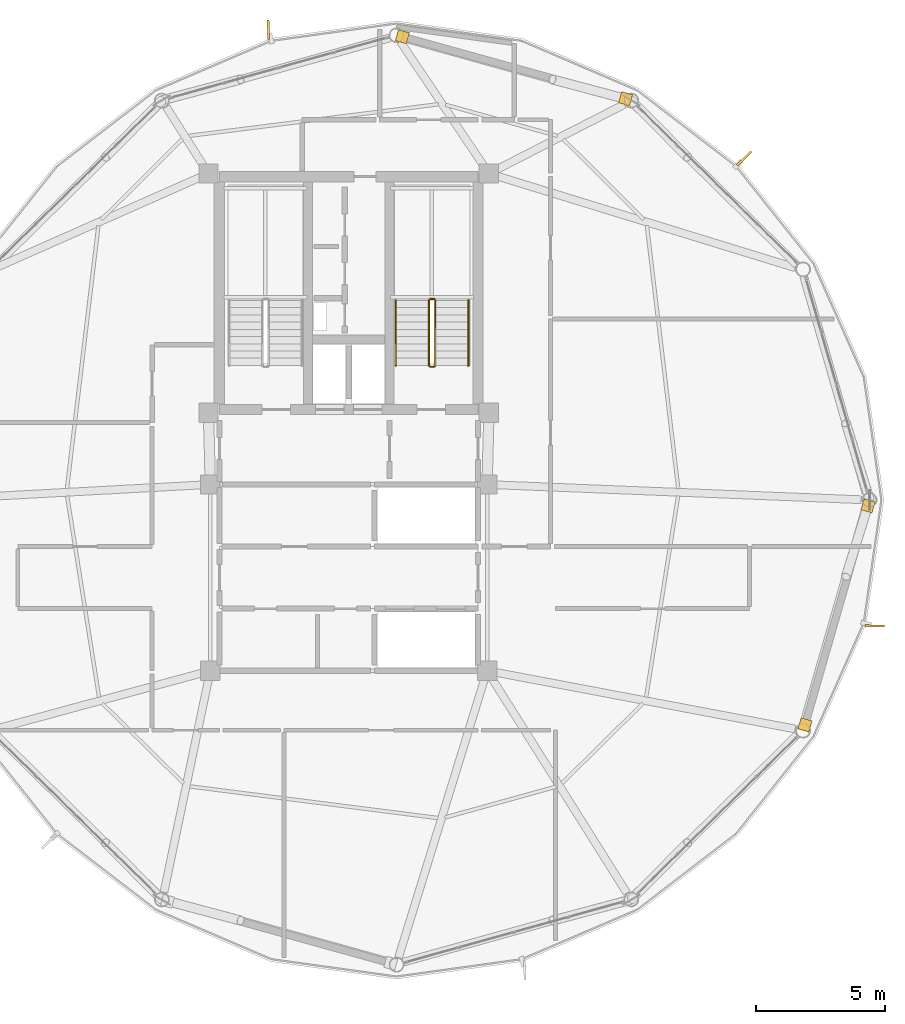
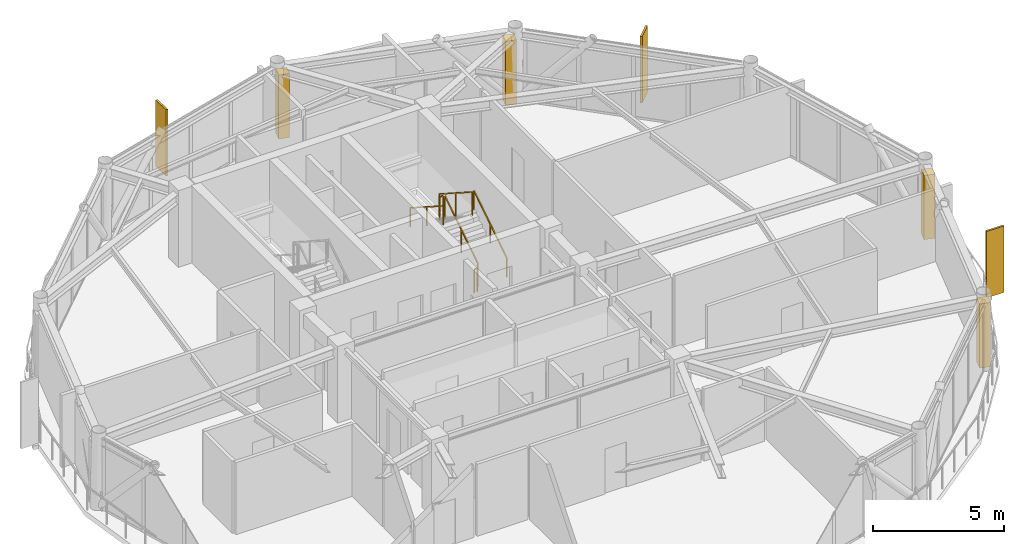
# One storey, part 25 of 25: 6 railings, 4 coverings, 3 shading devices.
"""IFC4 building model written with IfcOpenShell, lengths in metres."""

from ifc_helpers import new_model, si_unit, direction, frame, origin, origin_2d, place, context, subcontext, project, spatial, rectangle, extrude, source, transform, mapped, material, layer, layer_set, type_object, type_shapes, element, save


model = new_model("IFC4")

# Units and contexts
model_context = context("Model", 3, precision=1e-05, world=origin(), true_north=direction((0.0, 1.0)))
body_context = subcontext(model_context, "Body", "Model", "MODEL_VIEW")
ifc_project = project(units=[si_unit("LENGTHUNIT", "METRE"), si_unit("AREAUNIT", "SQUARE_METRE"), si_unit("VOLUMEUNIT", "CUBIC_METRE"), si_unit("PLANEANGLEUNIT", "RADIAN"), si_unit("MASSUNIT", "GRAM", prefix="KILO")], contexts=[model_context])

# Site, building, storey
site_placement = place(None, origin())
site = spatial("IfcSite", under=ifc_project, at=site_placement, CompositionType="ELEMENT")
building_placement = place(site_placement, origin())
building = spatial("IfcBuilding", under=site, at=building_placement, Name="Varnakorn Sky Granary", CompositionType="ELEMENT")
storey_placement = place(building_placement, frame((0.0, 0.0, 259.800048828125)))
storey = spatial("IfcBuildingStorey", under=building, at=storey_placement, Name="L66", CompositionType="ELEMENT", Elevation=259.800048828125)

# Railings
ifc_material_1 = material(Name="Brushed Stainless Steel 316", Category="steel")
railing_type_1 = type_object("IfcRailingType", Name="RL-STAIR-1100", PredefinedType="GUARDRAIL", material=ifc_material_1)
railing_1_placement = place(storey_placement, frame((6.35009765625, 5.199951171875, 0.179931640625)))
element("IfcRailing", 1, at=railing_1_placement, inside=storey, type_object=railing_type_1, Name="L66 ST-2 stair guard 1", PredefinedType="GUARDRAIL", context=body_context, shape_type="SweptSolid", body=[
    extrude(rectangle(XDim=0.048095703125, YDim=0.048095703125, at=origin_2d()), frame((0.0, 0.0, 1.076171875), z_axis=(0.0, 0.841162588446, 0.540782303519), x_axis=(-1.0, 0.0, 0.0)), (0.0, 0.0, 1.0), 2.995849609375),
    extrude(rectangle(XDim=0.0419921875, YDim=0.0419921875, at=origin_2d()), origin(), (0.0, 0.0, 1.0), 1.048095703125),
    extrude(rectangle(XDim=0.0419921875, YDim=0.0419921875, at=origin_2d()), frame((0.0, 1.260009765625, 0.81005859375)), (0.0, 0.0, 1.0), 1.048095703125),
    extrude(rectangle(XDim=0.0419921875, YDim=0.0419921875, at=origin_2d()), frame((0.0, 2.52001953125, 1.6201171875)), (0.0, 0.0, 1.0), 1.048095703125),
])
railing_2_placement = place(storey_placement, frame((6.300048828125, 7.77001953125, 1.800048828125)))
element("IfcRailing", 2, at=railing_2_placement, inside=storey, type_object=railing_type_1, Name="L66 ST-2 stair guard 2", PredefinedType="GUARDRAIL", context=body_context, shape_type="SweptSolid", body=[
    extrude(rectangle(XDim=0.048095703125, YDim=0.048095703125, at=origin_2d()), frame((0.0, 0.0, 1.076171875), z_axis=(-1.0, 0.0, 0.0), x_axis=(0.0, -1.0, 0.0)), (0.0, 0.0, 1.0), 0.150146484375),
    extrude(rectangle(XDim=0.0419921875, YDim=0.0419921875, at=origin_2d()), origin(), (0.0, 0.0, 1.0), 1.048095703125),
    extrude(rectangle(XDim=0.0419921875, YDim=0.0419921875, at=origin_2d()), frame((-0.150146484375, 0.0, 0.0)), (0.0, 0.0, 1.0), 1.048095703125),
])
railing_3_placement = place(storey_placement, frame((6.10009765625, 7.719970703125, 1.97998046875)))
element("IfcRailing", 3, at=railing_3_placement, inside=storey, type_object=railing_type_1, Name="L66 ST-2 stair guard 3", PredefinedType="GUARDRAIL", context=body_context, shape_type="SweptSolid", body=[
    extrude(rectangle(XDim=0.048095703125, YDim=0.048095703125, at=origin_2d()), frame((0.0, 0.0, 1.076171875), z_axis=(0.0, -0.841199657755, 0.540724639528), x_axis=(1.0, 0.0, 0.0)), (0.0, 0.0, 1.0), 2.995849609375),
    extrude(rectangle(XDim=0.0419921875, YDim=0.0419921875, at=origin_2d()), origin(), (0.0, 0.0, 1.0), 1.048095703125),
    extrude(rectangle(XDim=0.0419921875, YDim=0.0419921875, at=origin_2d()), frame((0.0, -1.260009765625, 0.81005859375)), (0.0, 0.0, 1.0), 1.048095703125),
    extrude(rectangle(XDim=0.0419921875, YDim=0.0419921875, at=origin_2d()), frame((0.0, -2.52001953125, 1.619873046875)), (0.0, 0.0, 1.0), 1.048095703125),
])
railing_4_placement = place(storey_placement, frame((6.300048828125, 5.14990234375, 0.0)))
element("IfcRailing", 4, at=railing_4_placement, inside=storey, type_object=railing_type_1, Name="L66 ST-2 stair guard 4", PredefinedType="GUARDRAIL", context=body_context, shape_type="SweptSolid", body=[
    extrude(rectangle(XDim=0.048095703125, YDim=0.048095703125, at=origin_2d()), frame((0.0, 0.0, 1.076171875), z_axis=(-1.0, 0.0, 0.0), x_axis=(0.0, -1.0, 0.0)), (0.0, 0.0, 1.0), 0.150146484375),
    extrude(rectangle(XDim=0.0419921875, YDim=0.0419921875, at=origin_2d()), origin(), (0.0, 0.0, 1.0), 1.048095703125),
    extrude(rectangle(XDim=0.0419921875, YDim=0.0419921875, at=origin_2d()), frame((-0.150146484375, 0.0, 0.0)), (0.0, 0.0, 1.0), 1.048095703125),
])
railing_type_2 = type_object("IfcRailingType", Name="RL-STAIR-920", PredefinedType="HANDRAIL", material=ifc_material_1)
railing_5_placement = place(storey_placement, frame((7.6298828125, 5.199951171875, 0.179931640625)))
element("IfcRailing", 5, at=railing_5_placement, inside=storey, type_object=railing_type_2, Name="L66 ST-2 stair handrail 1", PredefinedType="HANDRAIL", context=body_context, shape_type="SweptSolid", body=[
    extrude(rectangle(XDim=0.048095703125, YDim=0.048095703125, at=origin_2d()), frame((0.0, 0.0, 0.8759765625), z_axis=(0.0, 0.841162588446, 0.540782303519), x_axis=(-1.0, 0.0, 0.0)), (0.0, 0.0, 1.0), 2.995849609375),
    extrude(rectangle(XDim=0.0419921875, YDim=0.0419921875, at=origin_2d()), origin(), (0.0, 0.0, 1.0), 0.847900390625),
    extrude(rectangle(XDim=0.0419921875, YDim=0.0419921875, at=origin_2d()), frame((0.0, 1.260009765625, 0.81005859375)), (0.0, 0.0, 1.0), 0.847900390625),
    extrude(rectangle(XDim=0.0419921875, YDim=0.0419921875, at=origin_2d()), frame((0.0, 2.52001953125, 1.6201171875)), (0.0, 0.0, 1.0), 0.847900390625),
])
railing_6_placement = place(storey_placement, frame((4.820068359375, 7.719970703125, 1.97998046875)))
element("IfcRailing", 6, at=railing_6_placement, inside=storey, type_object=railing_type_2, Name="L66 ST-2 stair handrail 2", PredefinedType="HANDRAIL", context=body_context, shape_type="SweptSolid", body=[
    extrude(rectangle(XDim=0.048095703125, YDim=0.048095703125, at=origin_2d()), frame((0.0, 0.0, 0.8759765625), z_axis=(0.0, -0.841199657755, 0.540724639528), x_axis=(1.0, 0.0, 0.0)), (0.0, 0.0, 1.0), 2.995849609375),
    extrude(rectangle(XDim=0.0419921875, YDim=0.0419921875, at=origin_2d()), origin(), (0.0, 0.0, 1.0), 0.847900390625),
    extrude(rectangle(XDim=0.0419921875, YDim=0.0419921875, at=origin_2d()), frame((0.0, -1.260009765625, 0.81005859375)), (0.0, 0.0, 1.0), 0.847900390625),
    extrude(rectangle(XDim=0.0419921875, YDim=0.0419921875, at=origin_2d()), frame((0.0, -2.52001953125, 1.619873046875)), (0.0, 0.0, 1.0), 0.847900390625),
])

# Coverings
ifc_material_2 = material(Name="Anodised Bronze Aluminium Alloy 6063-T6", Category="aluminium")
ifc_layer = layer(ifc_material_2, 0.050048828125, Name="Anodised Bronze Aluminium Alloy 6063-T6")
ifc_layer_set = layer_set([ifc_layer], Name="Anodised Bronze Aluminium Alloy 6063-T6")
covering_type = type_object("IfcCoveringType", Name="CV-CLAD-50", PredefinedType="CLADDING", material=ifc_layer_set)
shared_shape_1 = source(origin(), body_context, "Body", "SweptSolid", [
    extrude(rectangle(XDim=0.43994140625, YDim=0.43994140625, at=origin_2d()), origin(), (0.0, 0.0, 1.0), 2.989990234375),
])
type_shapes(covering_type, [shared_shape_1])
for number, where, z_axis, x_axis, name in (
    (7, (5.075927734375, 17.908203125, -0.02001953125), (0.0, 0.0, 1.0), (0.963443650811, -0.267911051866, 0.0), "Bronze Corner Pilaster Closure L66-P03-A"),
    (8, (13.70263671875, 15.50927734375, -0.02001953125), (0.0, 0.0, 1.0), (0.963443650811, -0.267911051866, 0.0), "Bronze Corner Pilaster Closure L66-P03-B"),
    (9, (23.0771484375, -0.225341796875, -0.02001953125), (0.0, 0.0, 1.0), (-0.276643835392, -0.960972522156, 0.0), "Bronze Corner Pilaster Closure L66-P12-A"),
    (10, (20.639404296875, -8.692626953125, -0.02001953125), (0.0, 0.0, 1.0), (-0.276643835392, -0.960972522156, 0.0), "Bronze Corner Pilaster Closure L66-P12-B"),
):
    element("IfcCovering", number, at=place(storey_placement, frame(where, z_axis=z_axis, x_axis=x_axis)), inside=storey, type_object=covering_type, Name=name, PredefinedType="CLADDING", context=body_context, shape_type="MappedRepresentation", body=[
        mapped(shared_shape_1, transform((0.0, 0.0, 0.0), x_axis=(1.0, 0.0, 0.0), y_axis=(0.0, 1.0, 0.0), z_axis=(0.0, 0.0, 1.0), scale=1.0)),
    ])

# Shading devices
shading_device_type = type_object("IfcShadingDeviceType", Name="SH-FIN-03", PredefinedType="USERDEFINED", material=ifc_material_2)
shared_shape_2 = source(origin(), body_context, "Body", "SweptSolid", [
    extrude(rectangle(XDim=0.0849609375, YDim=0.760009765625, at=origin_2d()), origin(), (0.0, 0.0, 1.0), 3.10009765625),
])
type_shapes(shading_device_type, [shared_shape_2])
for number, where, z_axis, x_axis, name in (
    (11, (18.289306640625, 13.20654296875, -0.0400390625), (0.0, 0.0, 1.0), (-0.704375339137, 0.709827712629, 0.0), "Bronze Solar-Tracking Vertical Blade FIN L66-02"),
    (12, (-0.10498046875, 18.17431640625, -0.0400390625), (0.0, 0.0, 1.0), (-0.9996734139, -0.025555147074, 0.0), "Bronze Solar-Tracking Vertical Blade FIN L66-04"),
    (13, (23.33544921875, -4.867919921875, -0.0400390625), (0.0, 0.0, 1.0), (0.0144661353, 0.99989535999, 0.0), "Bronze Solar-Tracking Vertical Blade FIN L66-12"),
):
    element("IfcShadingDevice", number, at=place(storey_placement, frame(where, z_axis=z_axis, x_axis=x_axis)), inside=storey, type_object=shading_device_type, Name=name, ObjectType="FIN", PredefinedType="USERDEFINED", context=body_context, shape_type="MappedRepresentation", body=[
        mapped(shared_shape_2, transform((0.0, 0.0, 0.0), x_axis=(1.0, 0.0, 0.0), y_axis=(0.0, 1.0, 0.0), z_axis=(0.0, 0.0, 1.0), scale=1.0)),
    ])

save(model, "model.ifc")
